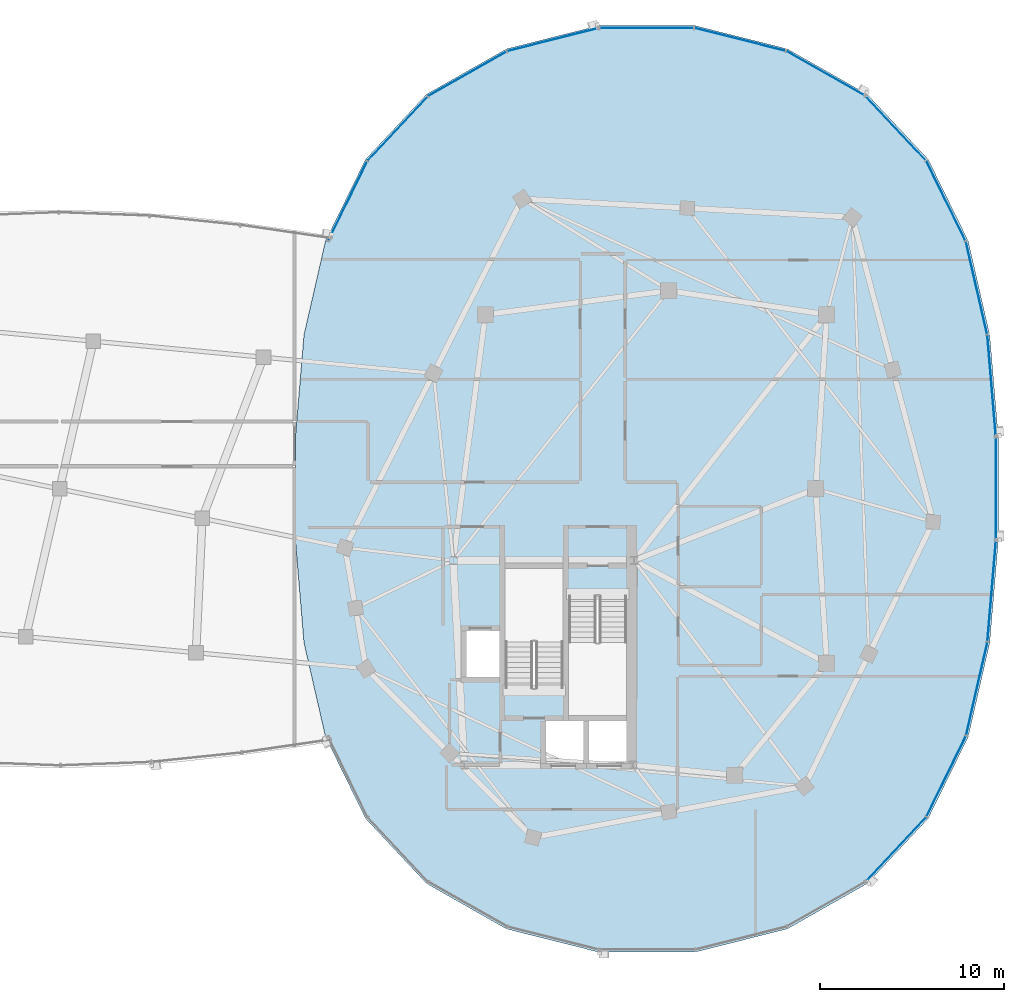
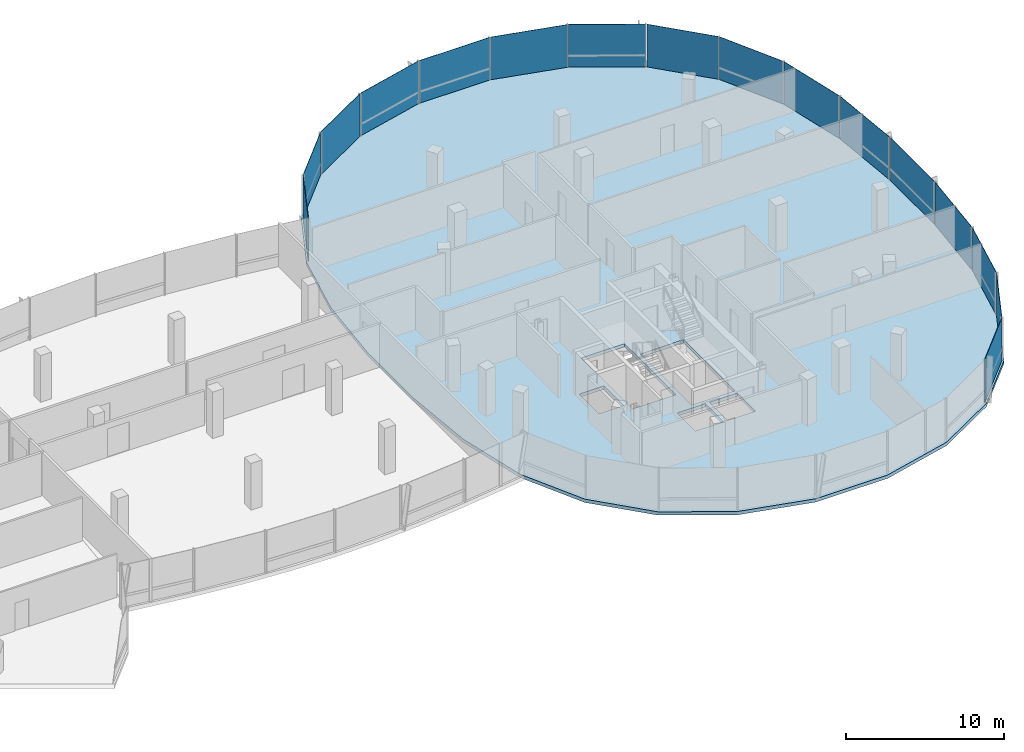
# One storey, part 13 of 25: 16 plates, 1 slab, 3 elements without a shape of their own.
"""IFC4 building model written with IfcOpenShell, lengths in metres."""

from ifc_helpers import new_model, si_unit, direction, frame, origin, origin_2d, place, context, subcontext, project, spatial, polyline, rectangle, outline, extrude, material, layer, layer_set, type_object, element, aggregate, save


model = new_model("IFC4")

# Units and contexts
model_context = context("Model", 3, precision=1e-05, world=origin(), true_north=direction((0.0, 1.0)))
body_context = subcontext(model_context, "Body", "Model", "MODEL_VIEW")
ifc_project = project(units=[si_unit("LENGTHUNIT", "METRE"), si_unit("AREAUNIT", "SQUARE_METRE"), si_unit("VOLUMEUNIT", "CUBIC_METRE"), si_unit("PLANEANGLEUNIT", "RADIAN"), si_unit("MASSUNIT", "GRAM", prefix="KILO"), si_unit("THERMODYNAMICTEMPERATUREUNIT", "KELVIN"), si_unit("POWERUNIT", "WATT")], contexts=[model_context])

# Site, building, storey
site_placement = place(None, origin())
site = spatial("IfcSite", under=ifc_project, at=site_placement, CompositionType="ELEMENT")
building_placement = place(site_placement, origin())
building = spatial("IfcBuilding", under=site, at=building_placement, Name="Cundina Bronze Exchange", CompositionType="ELEMENT")
storey_placement = place(building_placement, frame((0.0, 0.0, 246.800048828125)))
storey = spatial("IfcBuildingStorey", under=building, at=storey_placement, Name="L65", CompositionType="ELEMENT", Elevation=246.800048828125)

# Curtain wall, plates
ifc_material_1 = material(Name="Anodised Bronze Aluminium 6063-T6", Category="aluminium")
curtain_wall_type = type_object("IfcCurtainWallType", Name="CWS-SKG-BRG", PredefinedType="NOTDEFINED", material=ifc_material_1)
curtain_wall_1_placement = place(storey_placement, origin())
curtain_wall_1 = element("IfcCurtainWall", 1, at=curtain_wall_1_placement, inside=storey, type_object=curtain_wall_type, Name="L65 CW-06 Curtain Wall Run CWR-L65-E1", PredefinedType="NOTDEFINED")
ifc_material_2 = material(Name="Heat-Strengthened Solar-Control Bronze Safety Glass 28mm", Category="glass")
ifc_layer_1 = layer(ifc_material_2, 0.028076171875, Name="Heat-Strengthened Solar-Control Bronze Safety Glass 28mm", Category="glass")
ifc_layer_set_1 = layer_set([ifc_layer_1], Name="Heat-Strengthened Solar-Control Bronze Safety Glass 28mm")
plate_type_1 = type_object("IfcPlateType", Name="PLT-GLZ-VIS28", PredefinedType="CURTAIN_PANEL", material=ifc_layer_set_1)
plate_1_placement = place(storey_placement, frame((50.78662109375, 5.605712890625, 0.02001953125), z_axis=(0.0, 0.0, 1.0), x_axis=(-0.083747411454, 0.996487015006, 0.0)))
plate_1 = element("IfcPlate", 2, at=plate_1_placement, type_object=plate_type_1, Name="CW-06 Glazed Panel 1", PredefinedType="CURTAIN_PANEL", context=body_context, shape_type="SweptSolid", body=[
    extrude(rectangle(XDim=5.474609375, YDim=0.028076171875, at=origin_2d()), origin(), (0.0, 0.0, 1.0), 3.300048828125),
])
plate_2_placement = place(storey_placement, frame((49.96923828125, 10.922607421875, 0.02001953125), z_axis=(0.0, 0.0, 1.0), x_axis=(-0.223284141459, 0.974753400698, 0.0)))
plate_2 = element("IfcPlate", 3, at=plate_2_placement, type_object=plate_type_1, Name="CW-06 Glazed Panel 2", PredefinedType="CURTAIN_PANEL", context=body_context, shape_type="SweptSolid", body=[
    extrude(rectangle(XDim=5.167724609375, YDim=0.028076171875, at=origin_2d()), origin(), (0.0, 0.0, 1.0), 3.300048828125),
])
plate_3_placement = place(storey_placement, frame((48.30126953125, 15.68017578125, 0.02001953125), z_axis=(0.0, 0.0, 1.0), x_axis=(-0.440503330345, 0.897750976582, 0.0)))
plate_3 = element("IfcPlate", 4, at=plate_3_placement, type_object=plate_type_1, Name="CW-06 Glazed Panel 3", PredefinedType="CURTAIN_PANEL", context=body_context, shape_type="SweptSolid", body=[
    extrude(rectangle(XDim=4.863525390625, YDim=0.028076171875, at=origin_2d()), origin(), (0.0, 0.0, 1.0), 3.300048828125),
])
plate_4_placement = place(storey_placement, frame((45.568115234375, 19.64501953125, 0.02001953125), z_axis=(0.0, 0.0, 1.0), x_axis=(-0.684343512797, 0.72915976061, 0.0)))
plate_4 = element("IfcPlate", 5, at=plate_4_placement, type_object=plate_type_1, Name="CW-06 Glazed Panel 4", PredefinedType="CURTAIN_PANEL", context=body_context, shape_type="SweptSolid", body=[
    extrude(rectangle(XDim=4.773193359375, YDim=0.028076171875, at=origin_2d()), origin(), (0.0, 0.0, 1.0), 3.300048828125),
])
plate_5_placement = place(storey_placement, frame((37.109375, 24.4814453125, 0.02001953125), z_axis=(0.0, 0.0, 1.0), x_axis=(-0.969731542251, 0.244173577528, 0.0)))
plate_5 = element("IfcPlate", 6, at=plate_5_placement, type_object=plate_type_1, Name="CW-06 Glazed Panel 6", PredefinedType="CURTAIN_PANEL", context=body_context, shape_type="SweptSolid", body=[
    extrude(rectangle(XDim=5.0908203125, YDim=0.028076171875, at=origin_2d()), origin(), (0.0, 0.0, 1.0), 3.300048828125),
])
plate_6_placement = place(storey_placement, frame((32.0, 25.110107421875, 0.02001953125), z_axis=(0.0, 0.0, 1.0), x_axis=(-1.0, 0.0, 0.0)))
plate_6 = element("IfcPlate", 7, at=plate_6_placement, type_object=plate_type_1, Name="CW-06 Glazed Panel 7", PredefinedType="CURTAIN_PANEL", context=body_context, shape_type="SweptSolid", body=[
    extrude(rectangle(XDim=5.16796875, YDim=0.028076171875, at=origin_2d()), origin(), (0.0, 0.0, 1.0), 3.300048828125),
])

curtain_wall_2_placement = place(storey_placement, origin())
curtain_wall_2 = element("IfcCurtainWall", 8, at=curtain_wall_2_placement, inside=storey, type_object=curtain_wall_type, Name="L65 CW-06 Curtain Wall Run CWR-L65-E2", PredefinedType="NOTDEFINED")
plate_7_placement = place(storey_placement, frame((26.890625, 24.4814453125, 0.02001953125), z_axis=(0.0, 0.0, 1.0), x_axis=(-0.969731542251, -0.244173577528, 0.0)))
plate_7 = element("IfcPlate", 9, at=plate_7_placement, type_object=plate_type_1, Name="CW-06 Glazed Panel 1", PredefinedType="CURTAIN_PANEL", context=body_context, shape_type="SweptSolid", body=[
    extrude(rectangle(XDim=5.0908203125, YDim=0.028076171875, at=origin_2d()), origin(), (0.0, 0.0, 1.0), 3.300048828125),
])
plate_8_placement = place(storey_placement, frame((22.23828125, 22.6279296875, 0.02001953125), z_axis=(0.0, 0.0, 1.0), x_axis=(-0.869572506985, -0.493805280547, 0.0)))
plate_8 = element("IfcPlate", 10, at=plate_8_placement, type_object=plate_type_1, Name="CW-06 Glazed Panel 2", PredefinedType="CURTAIN_PANEL", context=body_context, shape_type="SweptSolid", body=[
    extrude(rectangle(XDim=4.907958984375, YDim=0.028076171875, at=origin_2d()), origin(), (0.0, 0.0, 1.0), 3.300048828125),
])
plate_9_placement = place(storey_placement, frame((18.431884765625, 19.64501953125, 0.02001953125), z_axis=(0.0, 0.0, 1.0), x_axis=(-0.684343512797, -0.72915976061, 0.0)))
plate_9 = element("IfcPlate", 11, at=plate_9_placement, type_object=plate_type_1, Name="CW-06 Glazed Panel 3", PredefinedType="CURTAIN_PANEL", context=body_context, shape_type="SweptSolid", body=[
    extrude(rectangle(XDim=4.773193359375, YDim=0.028076171875, at=origin_2d()), origin(), (0.0, 0.0, 1.0), 3.300048828125),
])

curtain_wall_3_placement = place(storey_placement, origin())
curtain_wall_3 = element("IfcCurtainWall", 12, at=curtain_wall_3_placement, inside=storey, type_object=curtain_wall_type, Name="L65 CW-06 Curtain Wall Run CWR-L65-E4", PredefinedType="NOTDEFINED")
plate_10_placement = place(storey_placement, frame((45.568115234375, -19.64501953125, 0.02001953125), z_axis=(0.0, 0.0, 1.0), x_axis=(0.684343512797, 0.72915976061, 0.0)))
plate_10 = element("IfcPlate", 13, at=plate_10_placement, type_object=plate_type_1, Name="CW-06 Glazed Panel 1", PredefinedType="CURTAIN_PANEL", context=body_context, shape_type="SweptSolid", body=[
    extrude(rectangle(XDim=4.773193359375, YDim=0.028076171875, at=origin_2d()), origin(), (0.0, 0.0, 1.0), 3.300048828125),
])
plate_11_placement = place(storey_placement, frame((49.96923828125, -10.922607421875, 0.02001953125), z_axis=(0.0, 0.0, 1.0), x_axis=(0.223284141459, 0.974753400698, 0.0)))
plate_11 = element("IfcPlate", 14, at=plate_11_placement, type_object=plate_type_1, Name="CW-06 Glazed Panel 3", PredefinedType="CURTAIN_PANEL", context=body_context, shape_type="SweptSolid", body=[
    extrude(rectangle(XDim=5.167724609375, YDim=0.028076171875, at=origin_2d()), origin(), (0.0, 0.0, 1.0), 3.300048828125),
])
plate_12_placement = place(storey_placement, frame((50.78662109375, -5.605712890625, 0.02001953125), z_axis=(0.0, 0.0, 1.0), x_axis=(0.083747411454, 0.996487015006, 0.0)))
plate_12 = element("IfcPlate", 15, at=plate_12_placement, type_object=plate_type_1, Name="CW-06 Glazed Panel 4", PredefinedType="CURTAIN_PANEL", context=body_context, shape_type="SweptSolid", body=[
    extrude(rectangle(XDim=5.474609375, YDim=0.028076171875, at=origin_2d()), origin(), (0.0, 0.0, 1.0), 3.300048828125),
])
plate_13_placement = place(storey_placement, frame((51.01904296875, 0.0, 0.02001953125), z_axis=(0.0, 0.0, 1.0), x_axis=(0.0, 1.0, 0.0)))
plate_13 = element("IfcPlate", 16, at=plate_13_placement, type_object=plate_type_1, Name="CW-06 Glazed Panel 5", PredefinedType="CURTAIN_PANEL", context=body_context, shape_type="SweptSolid", body=[
    extrude(rectangle(XDim=5.597900390625, YDim=0.028076171875, at=origin_2d()), origin(), (0.0, 0.0, 1.0), 3.300048828125),
])

# Plate
ifc_material_3 = material(Name="Dark Bronze Spandrel Glass Panel 32mm", Category="glass")
ifc_layer_2 = layer(ifc_material_3, 0.031982421875, Name="Dark Bronze Spandrel Glass Panel 32mm", Category="glass")
ifc_layer_set_2 = layer_set([ifc_layer_2], Name="Dark Bronze Spandrel Glass Panel 32mm")
plate_type_2 = type_object("IfcPlateType", Name="PLT-SPN-BRZ32", PredefinedType="CURTAIN_PANEL", material=ifc_layer_set_2)
plate_14_placement = place(storey_placement, frame((41.76171875, 22.6279296875, 0.02001953125), z_axis=(0.0, 0.0, 1.0), x_axis=(-0.869572506985, 0.493805280547, 0.0)))
plate_14 = element("IfcPlate", 17, at=plate_14_placement, type_object=plate_type_2, Name="CW-06 Glazed Panel 5", PredefinedType="CURTAIN_PANEL", context=body_context, shape_type="SweptSolid", body=[
    extrude(rectangle(XDim=4.907958984375, YDim=0.031982421875, at=origin_2d()), origin(), (0.0, 0.0, 1.0), 3.300048828125),
])

aggregate(curtain_wall_1, [plate_1, plate_2, plate_3, plate_4, plate_14, plate_5, plate_6])

plate_15_placement = place(storey_placement, frame((15.69873046875, 15.68017578125, 0.02001953125), z_axis=(0.0, 0.0, 1.0), x_axis=(-0.440503330345, -0.897750976582, 0.0)))
plate_15 = element("IfcPlate", 18, at=plate_15_placement, type_object=plate_type_2, Name="CW-06 Glazed Panel 4", PredefinedType="CURTAIN_PANEL", context=body_context, shape_type="SweptSolid", body=[
    extrude(rectangle(XDim=4.863525390625, YDim=0.031982421875, at=origin_2d()), origin(), (0.0, 0.0, 1.0), 3.300048828125),
])

aggregate(curtain_wall_2, [plate_7, plate_8, plate_9, plate_15])

plate_16_placement = place(storey_placement, frame((48.30126953125, -15.68017578125, 0.02001953125), z_axis=(0.0, 0.0, 1.0), x_axis=(0.440503330345, 0.897750976582, 0.0)))
plate_16 = element("IfcPlate", 19, at=plate_16_placement, type_object=plate_type_2, Name="CW-06 Glazed Panel 2", PredefinedType="CURTAIN_PANEL", context=body_context, shape_type="SweptSolid", body=[
    extrude(rectangle(XDim=4.863525390625, YDim=0.031982421875, at=origin_2d()), origin(), (0.0, 0.0, 1.0), 3.300048828125),
])

aggregate(curtain_wall_3, [plate_10, plate_16, plate_11, plate_12, plate_13])

# Slab
ifc_material_4 = material(Name="Concrete C50/60", Category="concrete")
ifc_layer_3 = layer(ifc_material_4, 0.260009765625, Name="Concrete C50/60", Category="concrete")
ifc_layer_set_3 = layer_set([ifc_layer_3], Name="Concrete C50/60")
slab_type = type_object("IfcSlabType", Name="SLB-OFF-260", PredefinedType="FLOOR", material=ifc_layer_set_3)
slab_placement = place(storey_placement, frame((0.0, 0.0, -0.260009765625)))
element("IfcSlab", 20, at=slab_placement, inside=storey, type_object=slab_type, Name="L65 Leg E Structural Floor Slab", PredefinedType="FLOOR", context=body_context, shape_type="SweptSolid", body=[
    extrude(outline(polyline([(51.14892578125, 2.843994140625), (50.68310546875, 8.388916015625), (49.509033203125, 13.513916015625), (47.326904296875, 17.9609375), (43.9990234375, 21.507080078125), (39.653076171875, 23.97509765625), (34.62890625, 25.239990234375), (29.37109375, 25.239990234375), (24.346923828125, 23.97509765625), (20.0009765625, 21.507080078125), (16.673095703125, 17.9609375), (14.490966796875, 13.513916015625), (13.31689453125, 8.388916015625), (12.85107421875, 2.843994140625), (12.85107421875, -2.843994140625), (13.31689453125, -8.388916015625), (14.490966796875, -13.513916015625), (16.673095703125, -17.9609375), (20.0009765625, -21.507080078125), (24.346923828125, -23.97509765625), (29.37109375, -25.239990234375), (34.62890625, -25.239990234375), (39.653076171875, -23.97509765625), (43.9990234375, -21.507080078125), (47.326904296875, -17.9609375), (49.509033203125, -13.513916015625), (50.68310546875, -8.388916015625), (51.14892578125, -2.843994140625), (51.14892578125, 2.843994140625)]), holes=[polyline([(27.739990234375, -5.85009765625), (27.739990234375, -12.35009765625), (30.89990234375, -12.35009765625), (30.89990234375, -5.85009765625), (27.739990234375, -5.85009765625)]), polyline([(27.43994140625, -10.85009765625), (27.43994140625, -4.35009765625), (24.280029296875, -4.35009765625), (24.280029296875, -10.85009765625), (27.43994140625, -10.85009765625)]), polyline([(22.179931640625, -7.75), (23.97998046875, -7.75), (23.97998046875, -10.25), (22.179931640625, -10.25), (22.179931640625, -7.75)]), polyline([(28.85009765625, -12.64990234375), (30.89990234375, -12.64990234375), (30.89990234375, -14.949951171875), (28.85009765625, -14.949951171875), (28.85009765625, -12.64990234375)]), polyline([(26.5, -12.64990234375), (28.550048828125, -12.64990234375), (28.550048828125, -14.949951171875), (26.5, -14.949951171875), (26.5, -12.64990234375)])]), origin(), (0.0, 0.0, 1.0), 0.260009765625),
])

save(model, "model.ifc")
